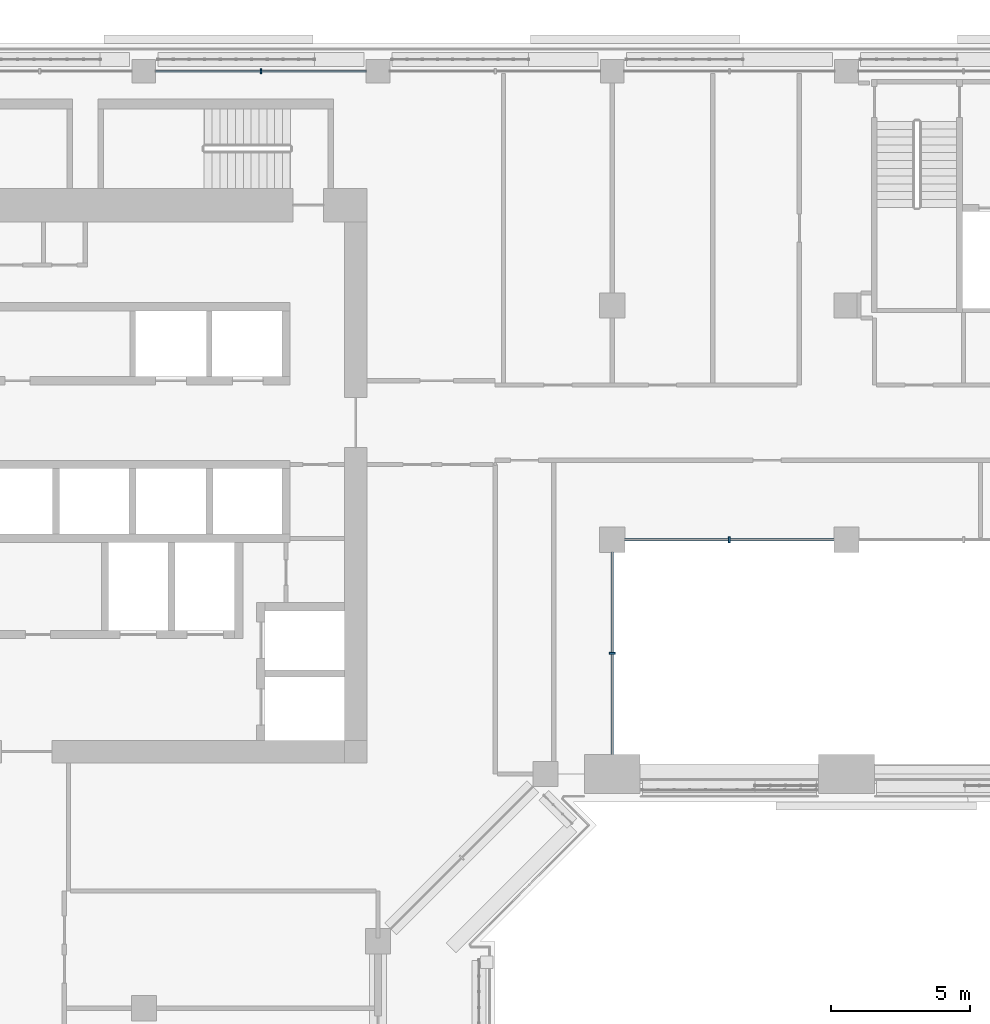
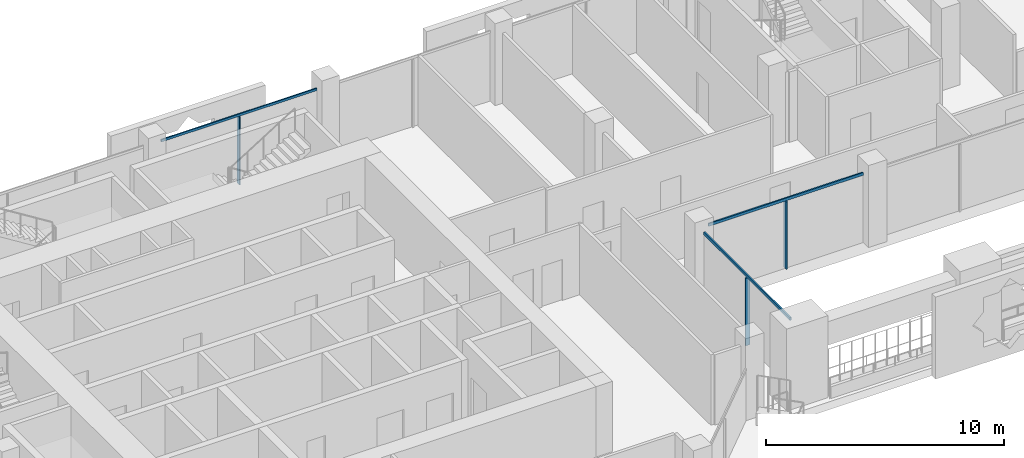
# One storey, part 7 of 23: 6 members, 3 elements without a shape of their own.
"""IFC4 building model written with IfcOpenShell, lengths in metres."""

from ifc_helpers import new_model, si_unit, direction, frame, origin, origin_2d, place, context, subcontext, project, spatial, rectangle, extrude, material, layer, layer_set, material_profile, profile_set, type_object, element, aggregate, save


model = new_model("IFC4")

# Units and contexts
model_context = context("Model", 3, precision=1e-05, world=origin(), true_north=direction((0.0, 1.0)))
body_context = subcontext(model_context, "Body", "Model", "MODEL_VIEW")
ifc_project = project(units=[si_unit("LENGTHUNIT", "METRE"), si_unit("AREAUNIT", "SQUARE_METRE"), si_unit("VOLUMEUNIT", "CUBIC_METRE"), si_unit("PLANEANGLEUNIT", "RADIAN"), si_unit("MASSUNIT", "GRAM", prefix="KILO")], contexts=[model_context])

# Site, building, storey
site_placement = place(None, origin())
site = spatial("IfcSite", under=ifc_project, at=site_placement, CompositionType="ELEMENT")
building_placement = place(site_placement, origin())
building = spatial("IfcBuilding", under=site, at=building_placement, Name="Kawkab Arch Medical Tower", CompositionType="ELEMENT")
storey_placement = place(building_placement, frame((0.0, 0.0, 226.39990234375)))
storey = spatial("IfcBuildingStorey", under=building, at=storey_placement, Name="L52", CompositionType="ELEMENT", Elevation=226.39990234375)

# Curtain wall, members
ifc_material_1 = material(Name="Bronze anodised aluminium curtain wall frame", Category="aluminium")
ifc_layer_1 = layer(ifc_material_1, 0.159912109375)
ifc_layer_set_1 = layer_set([ifc_layer_1], Name="Bronze anodised aluminium curtain wall frame")
curtain_wall_type_1 = type_object("IfcCurtainWallType", Name="CW1 ward curtain wall", PredefinedType="NOTDEFINED", material=ifc_layer_set_1)
placement = place(storey_placement, origin())
curtain_wall_1 = element("IfcCurtainWall", 1, at=placement, inside=storey, type_object=curtain_wall_type_1, Name="CW1 Ward curtain wall R09", PredefinedType="NOTDEFINED")
ifc_material_2 = material(Name="Bronze anodised aluminium curtain wall frame", Category="aluminium")
ifc_material_profile_1 = material_profile(ifc_material_2, rectangle(XDim=0.179931640625, YDim=0.06005859375, at=origin_2d()), Name="AL 60x180")
ifc_profile_set_1 = profile_set([ifc_material_profile_1], Name="Bronze anodised aluminium curtain wall frame")
member_type_1 = type_object("IfcMemberType", Name="CW1 mullion 60 x 180", PredefinedType="MULLION", material=ifc_profile_set_1)
member_1_placement = place(storey_placement, frame((21.0, 0.0, 0.0), z_axis=(0.0, 0.0, 1.0), x_axis=(0.0, -1.0, 0.0)))
member_1 = element("IfcMember", 2, at=member_1_placement, type_object=member_type_1, Name="CW1 mullion 5.1", PredefinedType="MULLION", context=body_context, shape_type="SweptSolid", body=[
    extrude(rectangle(XDim=0.179931640625, YDim=0.06005859375, at=origin_2d()), origin(), (0.0, 0.0, 1.0), 3.47998046875),
])
ifc_material_3 = material(Name="Bronze anodised aluminium curtain wall frame", Category="aluminium")
ifc_material_profile_2 = material_profile(ifc_material_3, rectangle(XDim=0.06005859375, YDim=0.1201171875, at=origin_2d()), Name="AL 60x120")
ifc_profile_set_2 = profile_set([ifc_material_profile_2], Name="Bronze anodised aluminium curtain wall frame")
member_type_2 = type_object("IfcMemberType", Name="CW1 transom 120 x 60", PredefinedType="USERDEFINED", material=ifc_profile_set_2)
member_2_placement = place(storey_placement, frame((24.77490234375, 0.0, 3.5400390625), z_axis=(-1.0, 0.0, 0.0), x_axis=(0.0, -1.0, 0.0)))
member_2 = element("IfcMember", 3, at=member_2_placement, type_object=member_type_2, Name="CW1 transom 5", ObjectType="TRANSOM", PredefinedType="USERDEFINED", context=body_context, shape_type="SweptSolid", body=[
    extrude(rectangle(XDim=0.06005859375, YDim=0.1201171875, at=origin_2d()), origin(), (0.0, 0.0, 1.0), 7.5498046875),
])
aggregate(curtain_wall_1, [member_2, member_1])

# Curtain wall, member
ifc_material_4 = material(Name="Bronze anodised aluminium curtain wall frame", Category="aluminium")
ifc_layer_2 = layer(ifc_material_4, 0.159912109375)
ifc_layer_set_2 = layer_set([ifc_layer_2], Name="Bronze anodised aluminium curtain wall frame")
curtain_wall_type_2 = type_object("IfcCurtainWallType", Name="CW3 sky garden curtain wall", PredefinedType="NOTDEFINED", material=ifc_layer_set_2)
curtain_wall_2 = element("IfcCurtainWall", 4, at=placement, inside=storey, type_object=curtain_wall_type_2, Name="CW3 Sky garden curtain wall R02", PredefinedType="NOTDEFINED")
ifc_material_5 = material(Name="Bronze anodised aluminium curtain wall frame", Category="aluminium")
ifc_material_profile_3 = material_profile(ifc_material_5, rectangle(XDim=0.219970703125, YDim=0.070068359375, at=origin_2d()), Name="AL 70x220")
ifc_profile_set_3 = profile_set([ifc_material_profile_3], Name="Bronze anodised aluminium curtain wall frame")
member_type_3 = type_object("IfcMemberType", Name="CW3 mullion 70 x 220", PredefinedType="MULLION", material=ifc_profile_set_3)
member_3_placement = place(storey_placement, frame((33.60009765625, -20.875, 0.0), z_axis=(0.0, 0.0, 1.0), x_axis=(-1.0, 0.0, 0.0)))
member_3 = element("IfcMember", 5, at=member_3_placement, type_object=member_type_3, Name="CW3 mullion 1.1", PredefinedType="MULLION", context=body_context, shape_type="SweptSolid", body=[
    extrude(rectangle(XDim=0.219970703125, YDim=0.070068359375, at=origin_2d()), origin(), (0.0, 0.0, 1.0), 3.460205078125),
])

curtain_wall_3 = element("IfcCurtainWall", 6, at=placement, inside=storey, type_object=curtain_wall_type_2, Name="CW3 Sky garden curtain wall R03", PredefinedType="NOTDEFINED")
member_4_placement = place(storey_placement, frame((37.800048828125, -16.800048828125, 0.0), z_axis=(0.0, 0.0, 1.0), x_axis=(0.0, 1.0, 0.0)))
member_4 = element("IfcMember", 7, at=member_4_placement, type_object=member_type_3, Name="CW3 mullion 1.1", PredefinedType="MULLION", context=body_context, shape_type="SweptSolid", body=[
    extrude(rectangle(XDim=0.219970703125, YDim=0.070068359375, at=origin_2d()), origin(), (0.0, 0.0, 1.0), 3.460205078125),
])

# Member
ifc_material_6 = material(Name="Bronze anodised aluminium curtain wall frame", Category="aluminium")
ifc_material_profile_4 = material_profile(ifc_material_6, rectangle(XDim=0.070068359375, YDim=0.139892578125, at=origin_2d()), Name="AL 70x140")
ifc_profile_set_4 = profile_set([ifc_material_profile_4], Name="Bronze anodised aluminium curtain wall frame")
member_type_4 = type_object("IfcMemberType", Name="CW3 transom 140 x 70", PredefinedType="USERDEFINED", material=ifc_profile_set_4)
member_5_placement = place(storey_placement, frame((33.60009765625, -24.5, 3.530029296875), z_axis=(0.0, 1.0, 0.0), x_axis=(-1.0, 0.0, 0.0)))
member_5 = element("IfcMember", 8, at=member_5_placement, type_object=member_type_4, Name="CW3 transom 1", ObjectType="TRANSOM", PredefinedType="USERDEFINED", context=body_context, shape_type="SweptSolid", body=[
    extrude(rectangle(XDim=0.070068359375, YDim=0.139892578125, at=origin_2d()), origin(), (0.0, 0.0, 1.0), 7.25),
])

aggregate(curtain_wall_2, [member_5, member_3])

member_6_placement = place(storey_placement, frame((34.050048828125, -16.800048828125, 3.530029296875), z_axis=(1.0, 0.0, 0.0), x_axis=(0.0, 1.0, 0.0)))
member_6 = element("IfcMember", 9, at=member_6_placement, type_object=member_type_4, Name="CW3 transom 1", ObjectType="TRANSOM", PredefinedType="USERDEFINED", context=body_context, shape_type="SweptSolid", body=[
    extrude(rectangle(XDim=0.070068359375, YDim=0.139892578125, at=origin_2d()), origin(), (0.0, 0.0, 1.0), 7.5),
])

aggregate(curtain_wall_3, [member_6, member_4])

save(model, "model.ifc")
